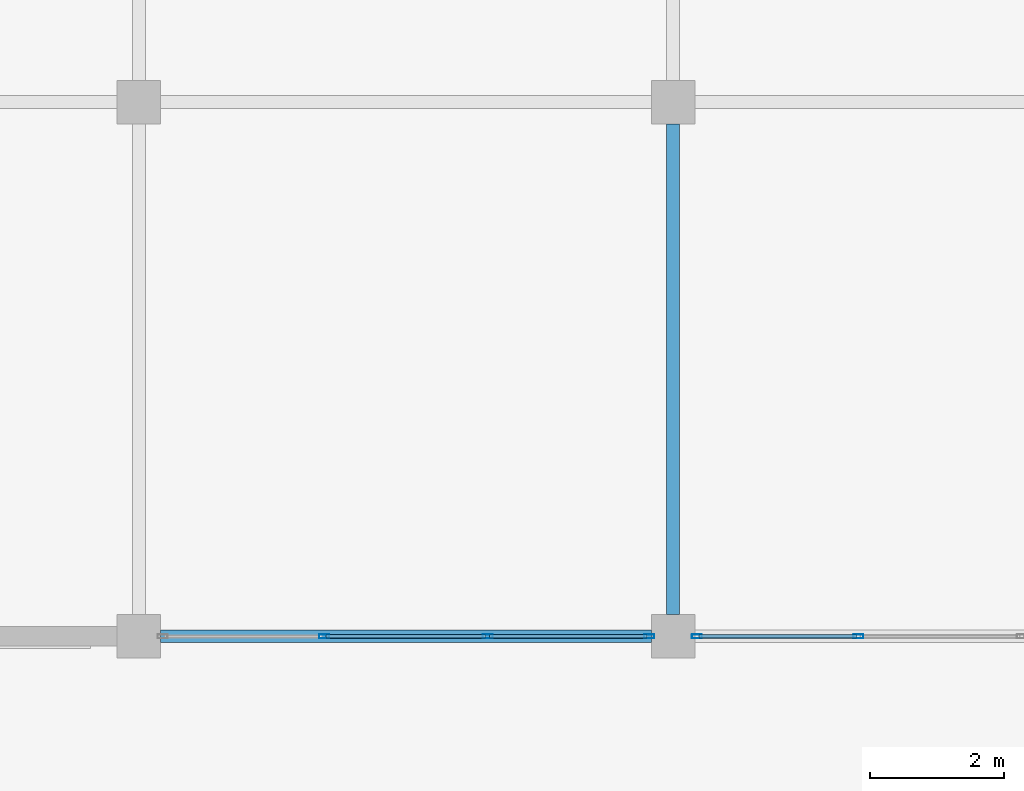
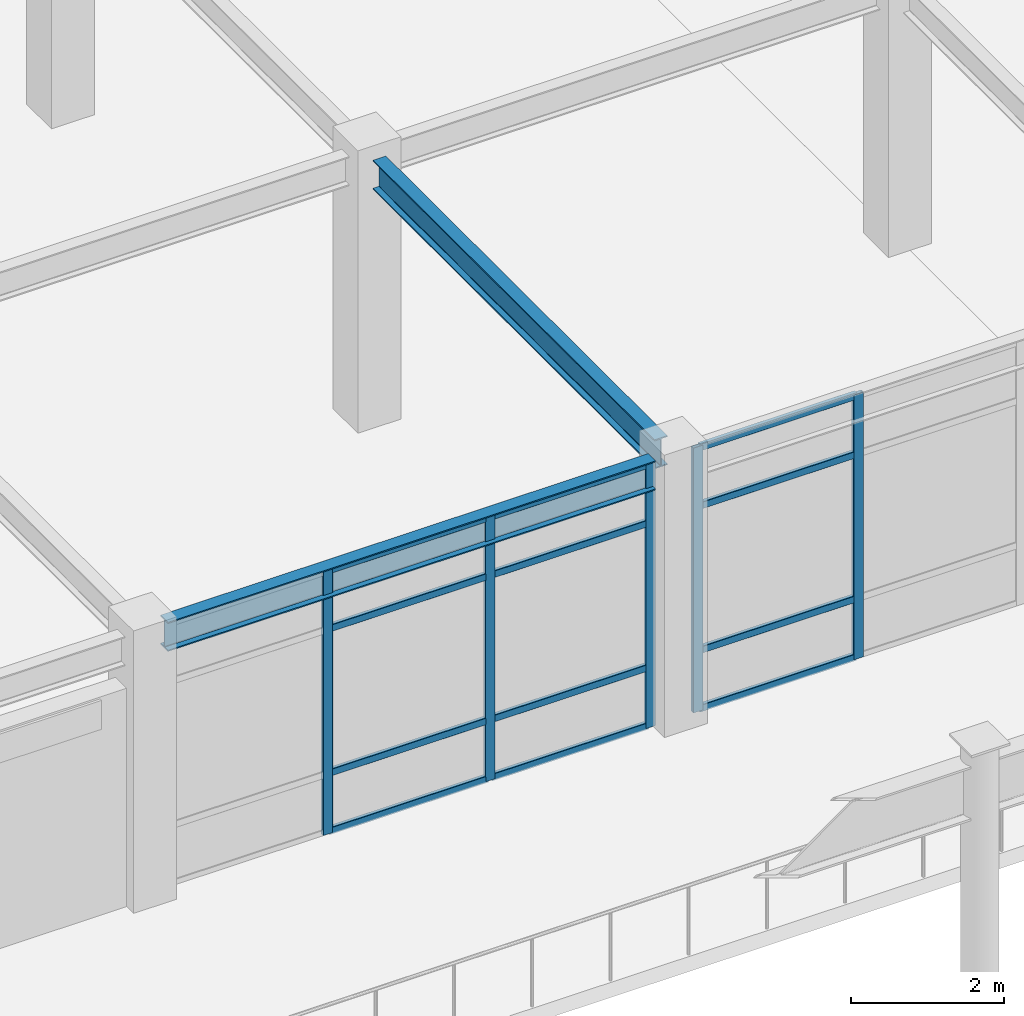
# One storey, part 43 of 78: 17 members, 2 beams, 2 elements without a shape of their own.
"""IFC4 building model written with IfcOpenShell, lengths in metres."""

from ifc_helpers import new_model, si_unit, direction, frame, origin, origin_2d, place, context, subcontext, project, spatial, hollow_rectangle, i_section, extrude, material, material_profile, profile_set, type_object, element, aggregate, save


model = new_model("IFC4")

# Units and contexts
model_context = context("Model", 3, precision=1e-05, world=origin(), true_north=direction((0.0, 1.0)))
body_context = subcontext(model_context, "Body", "Model", "MODEL_VIEW")
ifc_project = project(units=[si_unit("LENGTHUNIT", "METRE"), si_unit("AREAUNIT", "SQUARE_METRE"), si_unit("VOLUMEUNIT", "CUBIC_METRE"), si_unit("PLANEANGLEUNIT", "RADIAN"), si_unit("MASSUNIT", "GRAM", prefix="KILO")], contexts=[model_context])

# Site, building, storey
site_placement = place(None, origin())
site = spatial("IfcSite", under=ifc_project, at=site_placement, CompositionType="ELEMENT")
building_placement = place(site_placement, origin())
building = spatial("IfcBuilding", under=site, at=building_placement, Name="Solmirada Galleria", CompositionType="ELEMENT")
storey_placement = place(building_placement, frame((0.0, 0.0, 23.89990234375)))
storey = spatial("IfcBuildingStorey", under=building, at=storey_placement, Name="L05", CompositionType="ELEMENT", Elevation=23.89990234375)

# Beams
ifc_material_1 = material(Name="Steel S355 / ASTM A992 Grade 50", Category="steel")
ifc_material_profile_1 = material_profile(ifc_material_1, i_section(OverallWidth=0.193115234375, OverallDepth=0.466064453125, WebThickness=0.011474609375, FlangeThickness=0.01904296875, FilletRadius=0.013916015625, at=origin_2d()), Name="W18X65")
ifc_profile_set_1 = profile_set([ifc_material_profile_1], Name="Steel S355 / ASTM A992 Grade 50")
beam_type = type_object("IfcBeamType", Name="BM-GIRD-W18C", PredefinedType="BEAM", material=ifc_profile_set_1)
for number, where, z_axis, x_axis, name in (
    (1, (64.324951171875, 96.0, 4.0400390625), (1.0, 0.0, 0.0), (0.0, 1.0, 0.0), "North roof girder X=64..72"),
    (2, (72.0, 96.324951171875, 4.0400390625), (0.0, 1.0, 0.0), (-1.0, 0.0, 0.0), "North roof girder Y=96..104"),
):
    element("IfcBeam", number, at=place(storey_placement, frame(where, z_axis=z_axis, x_axis=x_axis)), inside=storey, type_object=beam_type, Name=name, PredefinedType="BEAM", context=body_context, shape_type="SweptSolid", body=[
        extrude(i_section(OverallWidth=0.193115234375, OverallDepth=0.466064453125, WebThickness=0.011474609375, FlangeThickness=0.01904296875, FilletRadius=0.013916015625, at=origin_2d()), origin(), (0.0, 0.0, 1.0), 7.35009765625),
    ])

# Curtain wall, members
ifc_material_2 = material(Name="Impact-resistant low-E double glazing", Category="glass")
curtain_wall_type = type_object("IfcCurtainWallType", Name="CW-FZ4-L05-B3-L074", PredefinedType="NOTDEFINED", material=ifc_material_2)
curtain_wall_1_placement = place(storey_placement, origin())
curtain_wall_1 = element("IfcCurtainWall", 3, at=curtain_wall_1_placement, inside=storey, type_object=curtain_wall_type, Name="Terrace and arcade storefront CW-L05-169", PredefinedType="NOTDEFINED")
ifc_material_3 = material(Name="Anodised aluminium framing", Category="aluminium")
ifc_material_profile_2 = material_profile(ifc_material_3, hollow_rectangle(XDim=0.06005859375, YDim=0.14990234375, WallThickness=0.00341796875, InnerFilletRadius=0.00341796875, OuterFilletRadius=0.007080078125, at=origin_2d()), Name="ALU-MULL-150X60")
ifc_profile_set_2 = profile_set([ifc_material_profile_2], Name="Anodised aluminium framing")
member_type_1 = type_object("IfcMemberType", Name="CW-MULL-150", PredefinedType="MULLION", material=ifc_profile_set_2)
member_1_placement = place(storey_placement, frame((74.775634765625, 96.0, 0.0), z_axis=(0.0, 0.0, 1.0), x_axis=(0.0, -1.0, 0.0)))
member_1 = element("IfcMember", 4, at=member_1_placement, type_object=member_type_1, Name="CW34 mullion 3", PredefinedType="MULLION", context=body_context, shape_type="SweptSolid", body=[
    extrude(hollow_rectangle(XDim=0.06005859375, YDim=0.14990234375, WallThickness=0.00341796875, InnerFilletRadius=0.00341796875, OuterFilletRadius=0.007080078125, at=origin_2d()), origin(), (0.0, 0.0, 1.0), 4.22021484375),
])
member_2_placement = place(storey_placement, frame((72.35693359375, 96.0, 0.0), z_axis=(0.0, 0.0, 1.0), x_axis=(0.0, -1.0, 0.0)))
member_2 = element("IfcMember", 5, at=member_2_placement, type_object=member_type_1, Name="CW34 mullion 4", PredefinedType="MULLION", context=body_context, shape_type="SweptSolid", body=[
    extrude(hollow_rectangle(XDim=0.06005859375, YDim=0.14990234375, WallThickness=0.00341796875, InnerFilletRadius=0.00341796875, OuterFilletRadius=0.007080078125, at=origin_2d()), origin(), (0.0, 0.0, 1.0), 4.22021484375),
])

curtain_wall_2_placement = place(storey_placement, origin())
curtain_wall_2 = element("IfcCurtainWall", 6, at=curtain_wall_2_placement, inside=storey, type_object=curtain_wall_type, Name="Terrace and arcade storefront CW-L05-170", PredefinedType="NOTDEFINED")
member_3_placement = place(storey_placement, frame((71.64306640625, 96.0, 0.0), z_axis=(0.0, 0.0, 1.0), x_axis=(0.0, -1.0, 0.0)))
member_3 = element("IfcMember", 7, at=member_3_placement, type_object=member_type_1, Name="CW34 mullion 1", PredefinedType="MULLION", context=body_context, shape_type="SweptSolid", body=[
    extrude(hollow_rectangle(XDim=0.06005859375, YDim=0.14990234375, WallThickness=0.00341796875, InnerFilletRadius=0.00341796875, OuterFilletRadius=0.007080078125, at=origin_2d()), origin(), (0.0, 0.0, 1.0), 4.22021484375),
])
member_4_placement = place(storey_placement, frame((69.224365234375, 96.0, 0.0), z_axis=(0.0, 0.0, 1.0), x_axis=(0.0, -1.0, 0.0)))
member_4 = element("IfcMember", 8, at=member_4_placement, type_object=member_type_1, Name="CW34 mullion 2", PredefinedType="MULLION", context=body_context, shape_type="SweptSolid", body=[
    extrude(hollow_rectangle(XDim=0.06005859375, YDim=0.14990234375, WallThickness=0.00341796875, InnerFilletRadius=0.00341796875, OuterFilletRadius=0.007080078125, at=origin_2d()), origin(), (0.0, 0.0, 1.0), 4.22021484375),
])
member_5_placement = place(storey_placement, frame((66.775634765625, 96.0, 0.0), z_axis=(0.0, 0.0, 1.0), x_axis=(0.0, -1.0, 0.0)))
member_5 = element("IfcMember", 9, at=member_5_placement, type_object=member_type_1, Name="CW34 mullion 3", PredefinedType="MULLION", context=body_context, shape_type="SweptSolid", body=[
    extrude(hollow_rectangle(XDim=0.06005859375, YDim=0.14990234375, WallThickness=0.00341796875, InnerFilletRadius=0.00341796875, OuterFilletRadius=0.007080078125, at=origin_2d()), origin(), (0.0, 0.0, 1.0), 4.22021484375),
])

# Member
ifc_material_profile_3 = material_profile(ifc_material_3, hollow_rectangle(XDim=0.06005859375, YDim=0.110107421875, WallThickness=0.003173828125, InnerFilletRadius=0.003173828125, OuterFilletRadius=0.00634765625, at=origin_2d()), Name="ALU-TRAN-110X60")
ifc_profile_set_3 = profile_set([ifc_material_profile_3], Name="Anodised aluminium framing")
member_type_2 = type_object("IfcMemberType", Name="CW-TRAN-110", PredefinedType="USERDEFINED", material=ifc_profile_set_3)
member_6_placement = place(storey_placement, frame((74.74560546875, 96.0, 0.030029296875), z_axis=(-1.0, 0.0, 0.0), x_axis=(0.0, -1.0, 0.0)))
member_6 = element("IfcMember", 10, at=member_6_placement, type_object=member_type_2, Name="CW34 transom 3.1", ObjectType="TRANSOM", PredefinedType="USERDEFINED", context=body_context, shape_type="SweptSolid", body=[
    extrude(hollow_rectangle(XDim=0.06005859375, YDim=0.110107421875, WallThickness=0.003173828125, InnerFilletRadius=0.003173828125, OuterFilletRadius=0.00634765625, at=origin_2d()), origin(), (0.0, 0.0, 1.0), 2.358642578125),
])

member_7_placement = place(storey_placement, frame((74.74560546875, 96.0, 0.960205078125), z_axis=(-1.0, 0.0, 0.0), x_axis=(0.0, -1.0, 0.0)))
member_7 = element("IfcMember", 11, at=member_7_placement, type_object=member_type_2, Name="CW34 transom 3.2", ObjectType="TRANSOM", PredefinedType="USERDEFINED", context=body_context, shape_type="SweptSolid", body=[
    extrude(hollow_rectangle(XDim=0.06005859375, YDim=0.110107421875, WallThickness=0.003173828125, InnerFilletRadius=0.003173828125, OuterFilletRadius=0.00634765625, at=origin_2d()), origin(), (0.0, 0.0, 1.0), 2.358642578125),
])

member_8_placement = place(storey_placement, frame((74.74560546875, 96.0, 3.260009765625), z_axis=(-1.0, 0.0, 0.0), x_axis=(0.0, -1.0, 0.0)))
member_8 = element("IfcMember", 12, at=member_8_placement, type_object=member_type_2, Name="CW34 transom 3.3", ObjectType="TRANSOM", PredefinedType="USERDEFINED", context=body_context, shape_type="SweptSolid", body=[
    extrude(hollow_rectangle(XDim=0.06005859375, YDim=0.110107421875, WallThickness=0.003173828125, InnerFilletRadius=0.003173828125, OuterFilletRadius=0.00634765625, at=origin_2d()), origin(), (0.0, 0.0, 1.0), 2.358642578125),
])

member_9_placement = place(storey_placement, frame((74.74560546875, 96.0, 4.190185546875), z_axis=(-1.0, 0.0, 0.0), x_axis=(0.0, -1.0, 0.0)))
member_9 = element("IfcMember", 13, at=member_9_placement, type_object=member_type_2, Name="CW34 transom 3.4", ObjectType="TRANSOM", PredefinedType="USERDEFINED", context=body_context, shape_type="SweptSolid", body=[
    extrude(hollow_rectangle(XDim=0.06005859375, YDim=0.110107421875, WallThickness=0.003173828125, InnerFilletRadius=0.003173828125, OuterFilletRadius=0.00634765625, at=origin_2d()), origin(), (0.0, 0.0, 1.0), 2.358642578125),
])

aggregate(curtain_wall_1, [member_1, member_2, member_6, member_7, member_8, member_9])

member_10_placement = place(storey_placement, frame((71.613037109375, 96.0, 0.030029296875), z_axis=(-1.0, 0.0, 0.0), x_axis=(0.0, -1.0, 0.0)))
member_10 = element("IfcMember", 14, at=member_10_placement, type_object=member_type_2, Name="CW34 transom 1.1", ObjectType="TRANSOM", PredefinedType="USERDEFINED", context=body_context, shape_type="SweptSolid", body=[
    extrude(hollow_rectangle(XDim=0.06005859375, YDim=0.110107421875, WallThickness=0.003173828125, InnerFilletRadius=0.003173828125, OuterFilletRadius=0.00634765625, at=origin_2d()), origin(), (0.0, 0.0, 1.0), 2.358642578125),
])

member_11_placement = place(storey_placement, frame((71.613037109375, 96.0, 0.960205078125), z_axis=(-1.0, 0.0, 0.0), x_axis=(0.0, -1.0, 0.0)))
member_11 = element("IfcMember", 15, at=member_11_placement, type_object=member_type_2, Name="CW34 transom 1.2", ObjectType="TRANSOM", PredefinedType="USERDEFINED", context=body_context, shape_type="SweptSolid", body=[
    extrude(hollow_rectangle(XDim=0.06005859375, YDim=0.110107421875, WallThickness=0.003173828125, InnerFilletRadius=0.003173828125, OuterFilletRadius=0.00634765625, at=origin_2d()), origin(), (0.0, 0.0, 1.0), 2.358642578125),
])

member_12_placement = place(storey_placement, frame((71.613037109375, 96.0, 3.260009765625), z_axis=(-1.0, 0.0, 0.0), x_axis=(0.0, -1.0, 0.0)))
member_12 = element("IfcMember", 16, at=member_12_placement, type_object=member_type_2, Name="CW34 transom 1.3", ObjectType="TRANSOM", PredefinedType="USERDEFINED", context=body_context, shape_type="SweptSolid", body=[
    extrude(hollow_rectangle(XDim=0.06005859375, YDim=0.110107421875, WallThickness=0.003173828125, InnerFilletRadius=0.003173828125, OuterFilletRadius=0.00634765625, at=origin_2d()), origin(), (0.0, 0.0, 1.0), 2.358642578125),
])

member_13_placement = place(storey_placement, frame((71.613037109375, 96.0, 4.190185546875), z_axis=(-1.0, 0.0, 0.0), x_axis=(0.0, -1.0, 0.0)))
member_13 = element("IfcMember", 17, at=member_13_placement, type_object=member_type_2, Name="CW34 transom 1.4", ObjectType="TRANSOM", PredefinedType="USERDEFINED", context=body_context, shape_type="SweptSolid", body=[
    extrude(hollow_rectangle(XDim=0.06005859375, YDim=0.110107421875, WallThickness=0.003173828125, InnerFilletRadius=0.003173828125, OuterFilletRadius=0.00634765625, at=origin_2d()), origin(), (0.0, 0.0, 1.0), 2.358642578125),
])

member_14_placement = place(storey_placement, frame((69.1943359375, 96.0, 0.030029296875), z_axis=(-1.0, 0.0, 0.0), x_axis=(0.0, -1.0, 0.0)))
member_14 = element("IfcMember", 18, at=member_14_placement, type_object=member_type_2, Name="CW34 transom 2.1", ObjectType="TRANSOM", PredefinedType="USERDEFINED", context=body_context, shape_type="SweptSolid", body=[
    extrude(hollow_rectangle(XDim=0.06005859375, YDim=0.110107421875, WallThickness=0.003173828125, InnerFilletRadius=0.003173828125, OuterFilletRadius=0.00634765625, at=origin_2d()), origin(), (0.0, 0.0, 1.0), 2.388671875),
])

member_15_placement = place(storey_placement, frame((69.1943359375, 96.0, 0.960205078125), z_axis=(-1.0, 0.0, 0.0), x_axis=(0.0, -1.0, 0.0)))
member_15 = element("IfcMember", 19, at=member_15_placement, type_object=member_type_2, Name="CW34 transom 2.2", ObjectType="TRANSOM", PredefinedType="USERDEFINED", context=body_context, shape_type="SweptSolid", body=[
    extrude(hollow_rectangle(XDim=0.06005859375, YDim=0.110107421875, WallThickness=0.003173828125, InnerFilletRadius=0.003173828125, OuterFilletRadius=0.00634765625, at=origin_2d()), origin(), (0.0, 0.0, 1.0), 2.388671875),
])

member_16_placement = place(storey_placement, frame((69.1943359375, 96.0, 3.260009765625), z_axis=(-1.0, 0.0, 0.0), x_axis=(0.0, -1.0, 0.0)))
member_16 = element("IfcMember", 20, at=member_16_placement, type_object=member_type_2, Name="CW34 transom 2.3", ObjectType="TRANSOM", PredefinedType="USERDEFINED", context=body_context, shape_type="SweptSolid", body=[
    extrude(hollow_rectangle(XDim=0.06005859375, YDim=0.110107421875, WallThickness=0.003173828125, InnerFilletRadius=0.003173828125, OuterFilletRadius=0.00634765625, at=origin_2d()), origin(), (0.0, 0.0, 1.0), 2.388671875),
])

member_17_placement = place(storey_placement, frame((69.1943359375, 96.0, 4.190185546875), z_axis=(-1.0, 0.0, 0.0), x_axis=(0.0, -1.0, 0.0)))
member_17 = element("IfcMember", 21, at=member_17_placement, type_object=member_type_2, Name="CW34 transom 2.4", ObjectType="TRANSOM", PredefinedType="USERDEFINED", context=body_context, shape_type="SweptSolid", body=[
    extrude(hollow_rectangle(XDim=0.06005859375, YDim=0.110107421875, WallThickness=0.003173828125, InnerFilletRadius=0.003173828125, OuterFilletRadius=0.00634765625, at=origin_2d()), origin(), (0.0, 0.0, 1.0), 2.388671875),
])

aggregate(curtain_wall_2, [member_3, member_4, member_5, member_10, member_11, member_12, member_13, member_14, member_15, member_16, member_17])

save(model, "model.ifc")
